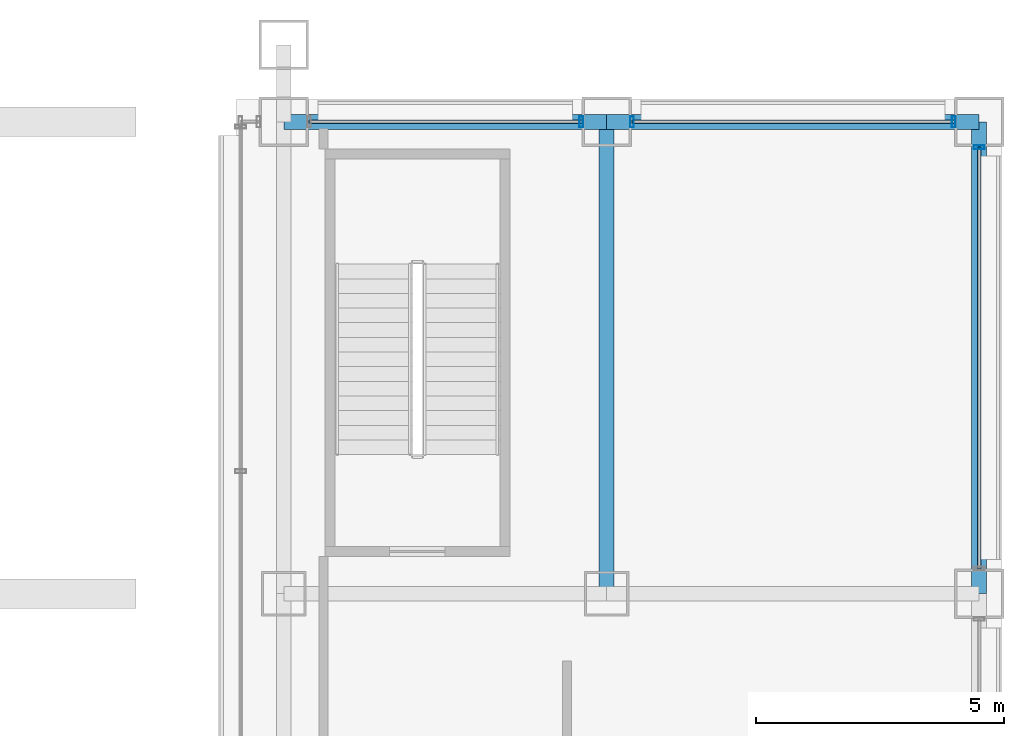
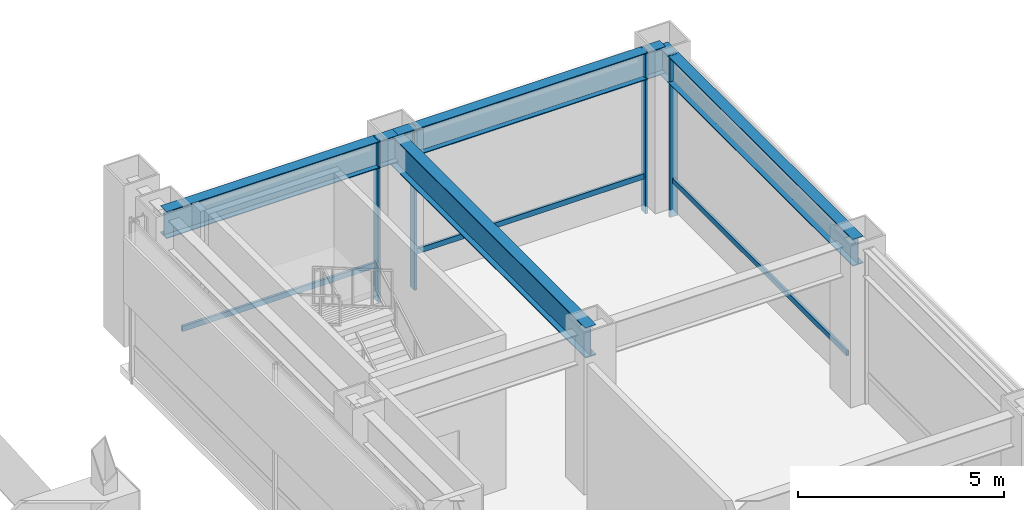
# One storey, part 27 of 42: 7 members, 4 beams, 3 elements without a shape of their own.
"""IFC4 building model written with IfcOpenShell, lengths in metres."""

from ifc_helpers import new_model, si_unit, direction, frame, origin, origin_2d, place, context, subcontext, project, spatial, hollow_rectangle, i_section, extrude, material, layer, layer_set, material_profile, profile_set, type_object, element, aggregate, save


model = new_model("IFC4")

# Units and contexts
model_context = context("Model", 3, precision=1e-05, world=origin(), true_north=direction((0.0, 1.0)))
body_context = subcontext(model_context, "Body", "Model", "MODEL_VIEW")
ifc_project = project(units=[si_unit("LENGTHUNIT", "METRE"), si_unit("AREAUNIT", "SQUARE_METRE"), si_unit("VOLUMEUNIT", "CUBIC_METRE"), si_unit("PLANEANGLEUNIT", "RADIAN"), si_unit("MASSUNIT", "GRAM", prefix="KILO")], contexts=[model_context])

# Site, building, storey
site_placement = place(None, origin())
site = spatial("IfcSite", under=ifc_project, at=site_placement, CompositionType="ELEMENT")
building_placement = place(site_placement, origin())
building = spatial("IfcBuilding", under=site, at=building_placement, Name="Brelmoor Portico Tower", CompositionType="ELEMENT")
storey_placement = place(building_placement, frame((0.0, 0.0, 9.60009765625)))
storey = spatial("IfcBuildingStorey", under=building, at=storey_placement, Name="L02", CompositionType="ELEMENT", Elevation=9.60009765625)

# Beams
ifc_material_1 = material(Name="Steel Q355B", Category="steel")
ifc_material_profile_1 = material_profile(ifc_material_1, i_section(OverallWidth=0.300048828125, OverallDepth=0.89990234375, WebThickness=0.01611328125, FlangeThickness=0.028076171875, at=origin_2d()), Name="HN 900x300x16x28")
ifc_profile_set_1 = profile_set([ifc_material_profile_1], Name="Steel Q355B")
beam_type_1 = type_object("IfcBeamType", Name="BM-PG-900", PredefinedType="BEAM", material=ifc_profile_set_1)
beam_1_placement = place(storey_placement, frame((21.050048828125, 18.050048828125, 4.1298828125), z_axis=(0.0, 1.0, 0.0), x_axis=(-1.0, 0.0, 0.0)))
element("IfcBeam", 1, at=beam_1_placement, inside=storey, type_object=beam_type_1, Name="L02 Primary Floor Girder PG-20", PredefinedType="BEAM", context=body_context, shape_type="SweptSolid", body=[
    extrude(i_section(OverallWidth=0.300048828125, OverallDepth=0.89990234375, WebThickness=0.01611328125, FlangeThickness=0.028076171875, at=origin_2d()), origin(), (0.0, 0.0, 1.0), 9.5),
])
ifc_material_profile_2 = material_profile(ifc_material_1, i_section(OverallWidth=0.300048828125, OverallDepth=0.800048828125, WebThickness=0.013916015625, FlangeThickness=0.02587890625, at=origin_2d()), Name="HN 800x300x14x26")
ifc_profile_set_2 = profile_set([ifc_material_profile_2], Name="Steel Q355B")
beam_type_2 = type_object("IfcBeamType", Name="BM-SP-800", PredefinedType="SPANDREL", material=ifc_profile_set_2)
beam_2_placement = place(storey_placement, frame((14.550048828125, 27.550048828125, 4.179931640625), z_axis=(1.0, 0.0, 0.0), x_axis=(0.0, 1.0, 0.0)))
element("IfcBeam", 2, at=beam_2_placement, inside=storey, type_object=beam_type_2, Name="L02 Perimeter Spandrel Beam SP-07", PredefinedType="SPANDREL", context=body_context, shape_type="SweptSolid", body=[
    extrude(i_section(OverallWidth=0.300048828125, OverallDepth=0.800048828125, WebThickness=0.013916015625, FlangeThickness=0.02587890625, at=origin_2d()), origin(), (0.0, 0.0, 1.0), 6.5),
])
beam_3_placement = place(storey_placement, frame((21.050048828125, 27.550048828125, 4.179931640625), z_axis=(1.0, 0.0, 0.0), x_axis=(0.0, 1.0, 0.0)))
element("IfcBeam", 3, at=beam_3_placement, inside=storey, type_object=beam_type_2, Name="L02 Perimeter Spandrel Beam SP-08", PredefinedType="SPANDREL", context=body_context, shape_type="SweptSolid", body=[
    extrude(i_section(OverallWidth=0.300048828125, OverallDepth=0.800048828125, WebThickness=0.013916015625, FlangeThickness=0.02587890625, at=origin_2d()), origin(), (0.0, 0.0, 1.0), 7.5),
])
beam_4_placement = place(storey_placement, frame((28.550048828125, 18.050048828125, 4.179931640625), z_axis=(0.0, 1.0, 0.0), x_axis=(-1.0, 0.0, 0.0)))
element("IfcBeam", 4, at=beam_4_placement, inside=storey, type_object=beam_type_2, Name="L02 Perimeter Spandrel Beam SP-20", PredefinedType="SPANDREL", context=body_context, shape_type="SweptSolid", body=[
    extrude(i_section(OverallWidth=0.300048828125, OverallDepth=0.800048828125, WebThickness=0.013916015625, FlangeThickness=0.02587890625, at=origin_2d()), origin(), (0.0, 0.0, 1.0), 9.5),
])

# Curtain wall, member
ifc_material_2 = material(Name="Anodised Aluminium Alloy 6063-T6", Category="aluminium")
ifc_layer = layer(ifc_material_2, 0.179931640625)
ifc_layer_set = layer_set([ifc_layer], Name="Anodised Aluminium Alloy 6063-T6")
curtain_wall_type = type_object("IfcCurtainWallType", Name="CW-PODIUM-ARCH", PredefinedType="NOTDEFINED", material=ifc_layer_set)
curtain_wall_1_placement = place(storey_placement, origin())
curtain_wall_1 = element("IfcCurtainWall", 5, at=curtain_wall_1_placement, inside=storey, type_object=curtain_wall_type, Name="L02 Curtain Wall CW-L02-04-2", PredefinedType="NOTDEFINED")
ifc_material_profile_3 = material_profile(ifc_material_2, hollow_rectangle(XDim=0.074951171875, YDim=0.219970703125, WallThickness=0.0048828125, at=origin_2d()), Name="ALU MULLION 75x220")
ifc_profile_set_3 = profile_set([ifc_material_profile_3], Name="Anodised Aluminium Alloy 6063-T6")
member_type_1 = type_object("IfcMemberType", Name="MB-CW-MULL-220", PredefinedType="MULLION", material=ifc_profile_set_3)
member_1_placement = place(storey_placement, frame((20.5400390625, 27.550048828125, -0.22021484375), z_axis=(0.0, 0.0, 1.0), x_axis=(1.0, 0.0, 0.0)))
member_1 = element("IfcMember", 6, at=member_1_placement, type_object=member_type_1, Name="CW-L02-04-2 Mullion 01", PredefinedType="MULLION", context=body_context, shape_type="SweptSolid", body=[
    extrude(hollow_rectangle(XDim=0.074951171875, YDim=0.219970703125, WallThickness=0.0048828125, at=origin_2d()), origin(), (0.0, 0.0, 1.0), 4.800048828125),
])

# Curtain wall, members
curtain_wall_2_placement = place(storey_placement, origin())
curtain_wall_2 = element("IfcCurtainWall", 7, at=curtain_wall_2_placement, inside=storey, type_object=curtain_wall_type, Name="L02 Curtain Wall CW-L02-04-3", PredefinedType="NOTDEFINED")
member_2_placement = place(storey_placement, frame((21.56005859375, 27.550048828125, -0.22021484375), z_axis=(0.0, 0.0, 1.0), x_axis=(1.0, 0.0, 0.0)))
member_2 = element("IfcMember", 8, at=member_2_placement, type_object=member_type_1, Name="CW-L02-04-3 Mullion 00", PredefinedType="MULLION", context=body_context, shape_type="SweptSolid", body=[
    extrude(hollow_rectangle(XDim=0.074951171875, YDim=0.219970703125, WallThickness=0.0048828125, at=origin_2d()), origin(), (0.0, 0.0, 1.0), 4.800048828125),
])
member_3_placement = place(storey_placement, frame((28.0400390625, 27.550048828125, -0.22021484375), z_axis=(0.0, 0.0, 1.0), x_axis=(1.0, 0.0, 0.0)))
member_3 = element("IfcMember", 9, at=member_3_placement, type_object=member_type_1, Name="CW-L02-04-3 Mullion 01", PredefinedType="MULLION", context=body_context, shape_type="SweptSolid", body=[
    extrude(hollow_rectangle(XDim=0.074951171875, YDim=0.219970703125, WallThickness=0.0048828125, at=origin_2d()), origin(), (0.0, 0.0, 1.0), 4.800048828125),
])

# Curtain wall, member
curtain_wall_3_placement = place(storey_placement, origin())
curtain_wall_3 = element("IfcCurtainWall", 10, at=curtain_wall_3_placement, inside=storey, type_object=curtain_wall_type, Name="L02 Curtain Wall CW-L02-06-6", PredefinedType="NOTDEFINED")
member_4_placement = place(storey_placement, frame((28.550048828125, 27.0400390625, -0.22021484375), z_axis=(0.0, 0.0, 1.0), x_axis=(0.0, 1.0, 0.0)))
member_4 = element("IfcMember", 11, at=member_4_placement, type_object=member_type_1, Name="CW-L02-06-6 Mullion 01", PredefinedType="MULLION", context=body_context, shape_type="SweptSolid", body=[
    extrude(hollow_rectangle(XDim=0.074951171875, YDim=0.219970703125, WallThickness=0.0048828125, at=origin_2d()), origin(), (0.0, 0.0, 1.0), 4.800048828125),
])

# Member
ifc_material_profile_4 = material_profile(ifc_material_2, hollow_rectangle(XDim=0.070068359375, YDim=0.159912109375, WallThickness=0.00390625, at=origin_2d()), Name="ALU TRANSOM 70x160")
ifc_profile_set_4 = profile_set([ifc_material_profile_4], Name="Anodised Aluminium Alloy 6063-T6")
member_type_2 = type_object("IfcMemberType", Name="MB-CW-TRAN-160", PredefinedType="USERDEFINED", material=ifc_profile_set_4)
member_5_placement = place(storey_placement, frame((15.06005859375, 27.550048828125, 0.849853515625), z_axis=(1.0, 0.0, 0.0), x_axis=(0.0, 1.0, 0.0)))
member_5 = element("IfcMember", 12, at=member_5_placement, type_object=member_type_2, Name="CW-L02-04-2 Transom 1-00", ObjectType="TRANSOM", PredefinedType="USERDEFINED", context=body_context, shape_type="SweptSolid", body=[
    extrude(hollow_rectangle(XDim=0.070068359375, YDim=0.159912109375, WallThickness=0.00390625, at=origin_2d()), origin(), (0.0, 0.0, 1.0), 5.47998046875),
])

aggregate(curtain_wall_1, [member_1, member_5])

member_6_placement = place(storey_placement, frame((21.56005859375, 27.550048828125, 0.849853515625), z_axis=(1.0, 0.0, 0.0), x_axis=(0.0, 1.0, 0.0)))
member_6 = element("IfcMember", 13, at=member_6_placement, type_object=member_type_2, Name="CW-L02-04-3 Transom 1-00", ObjectType="TRANSOM", PredefinedType="USERDEFINED", context=body_context, shape_type="SweptSolid", body=[
    extrude(hollow_rectangle(XDim=0.070068359375, YDim=0.159912109375, WallThickness=0.00390625, at=origin_2d()), origin(), (0.0, 0.0, 1.0), 6.47998046875),
])

aggregate(curtain_wall_2, [member_2, member_3, member_6])

member_7_placement = place(storey_placement, frame((28.550048828125, 18.56005859375, 0.849853515625), z_axis=(0.0, 1.0, 0.0), x_axis=(-1.0, 0.0, 0.0)))
member_7 = element("IfcMember", 14, at=member_7_placement, type_object=member_type_2, Name="CW-L02-06-6 Transom 1-00", ObjectType="TRANSOM", PredefinedType="USERDEFINED", context=body_context, shape_type="SweptSolid", body=[
    extrude(hollow_rectangle(XDim=0.070068359375, YDim=0.159912109375, WallThickness=0.00390625, at=origin_2d()), origin(), (0.0, 0.0, 1.0), 8.47998046875),
])

aggregate(curtain_wall_3, [member_4, member_7])

save(model, "model.ifc")
